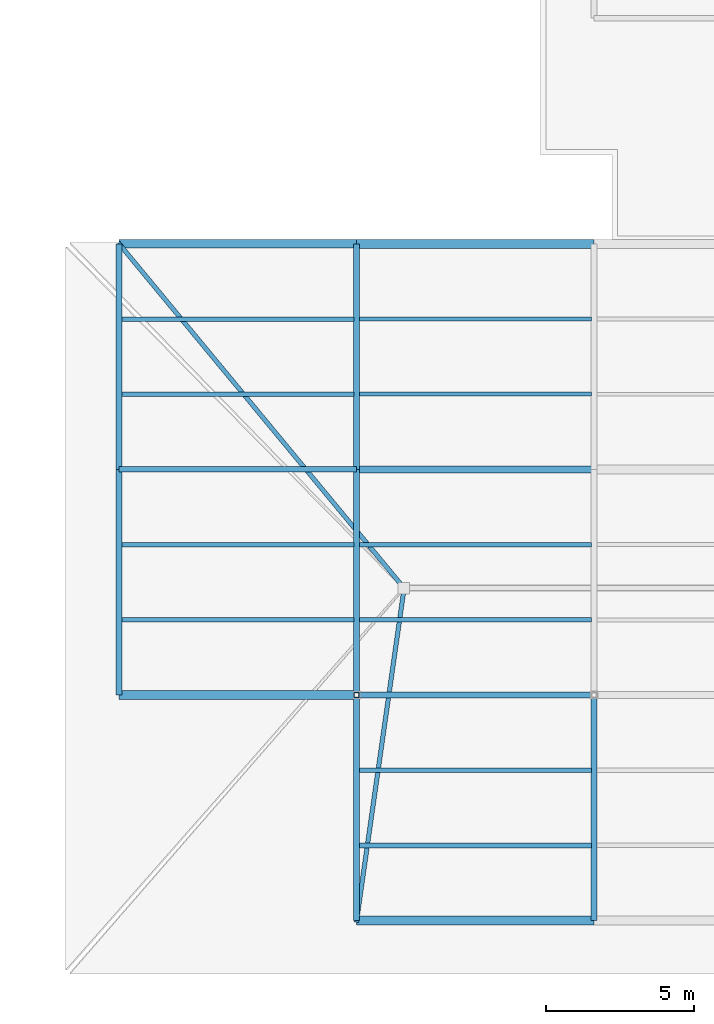
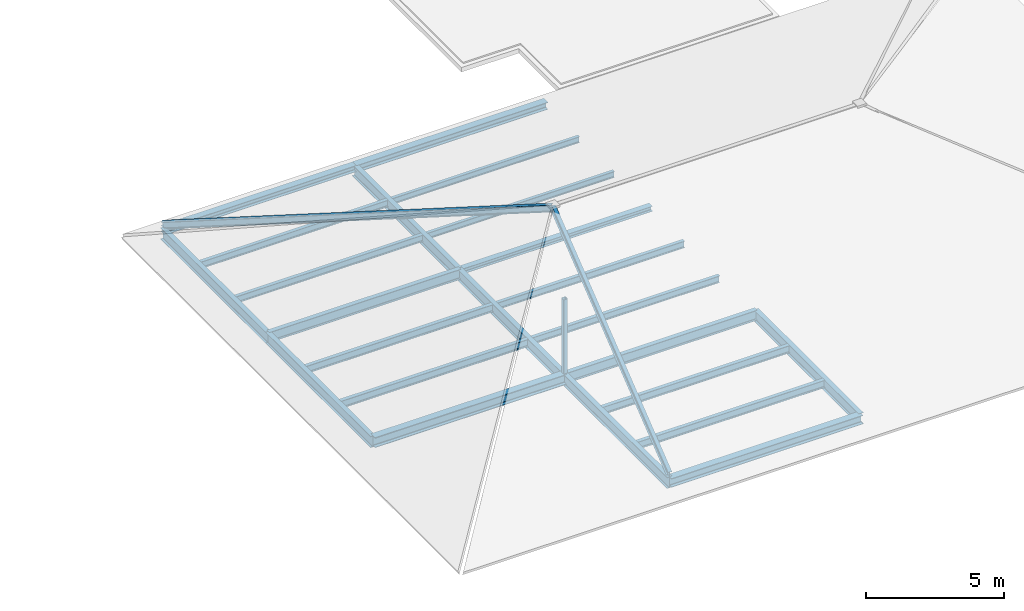
# One storey, part 18 of 120: 23 beams, 3 members.
"""IFC4 building model written with IfcOpenShell, lengths in metres."""

from ifc_helpers import new_model, si_unit, direction, frame, origin, origin_2d, place, context, subcontext, project, spatial, hollow_rectangle, i_section, extrude, material, material_profile, profile_set, type_object, element, save


model = new_model("IFC4")

# Units and contexts
model_context = context("Model", 3, precision=1e-05, world=origin(), true_north=direction((0.0, 1.0)))
body_context = subcontext(model_context, "Body", "Model", "MODEL_VIEW")
ifc_project = project(units=[si_unit("LENGTHUNIT", "METRE"), si_unit("AREAUNIT", "SQUARE_METRE"), si_unit("VOLUMEUNIT", "CUBIC_METRE"), si_unit("PLANEANGLEUNIT", "RADIAN"), si_unit("MASSUNIT", "GRAM", prefix="KILO")], contexts=[model_context])

# Site, building, storey
site_placement = place(None, origin())
site = spatial("IfcSite", under=ifc_project, at=site_placement, CompositionType="ELEMENT")
building_placement = place(site_placement, origin())
building = spatial("IfcBuilding", under=site, at=building_placement, Name="Vekula Escarpment Museum", CompositionType="ELEMENT")
storey_placement = place(building_placement, frame((0.0, 0.0, 13.199951171875)))
storey = spatial("IfcBuildingStorey", under=building, at=storey_placement, Name="L03", CompositionType="ELEMENT", Elevation=13.199951171875)

# Beams
ifc_material_1 = material(Name="Steel S355", Category="steel")
ifc_material_profile_1 = material_profile(ifc_material_1, i_section(OverallWidth=0.280029296875, OverallDepth=0.280029296875, WebThickness=0.010498046875, FlangeThickness=0.01806640625, FilletRadius=0.02392578125, at=origin_2d()), Name="HEB 280")
ifc_profile_set_1 = profile_set([ifc_material_profile_1], Name="Steel S355")
beam_type_1 = type_object("IfcBeamType", Name="BM-GIRD-HEB280", PredefinedType="BEAM", material=ifc_profile_set_1)
beam_1_placement = place(storey_placement, frame((24.0, 22.800048828125, -0.389892578125), z_axis=(1.0, 0.0, 0.0), x_axis=(0.0, 1.0, 0.0)))
element("IfcBeam", 1, at=beam_1_placement, inside=storey, type_object=beam_type_1, Name="Beam X L03 1305", PredefinedType="BEAM", context=body_context, shape_type="SweptSolid", body=[
    extrude(i_section(OverallWidth=0.280029296875, OverallDepth=0.280029296875, WebThickness=0.010498046875, FlangeThickness=0.01806640625, FilletRadius=0.02392578125, at=origin_2d()), origin(), (0.0, 0.0, 1.0), 8.0),
])
ifc_material_2 = material(Name="Steel S355", Category="steel")
ifc_material_profile_2 = material_profile(ifc_material_2, i_section(OverallWidth=0.300048828125, OverallDepth=0.320068359375, WebThickness=0.011474609375, FlangeThickness=0.0205078125, FilletRadius=0.027099609375, at=origin_2d()), Name="HEB 320")
ifc_profile_set_2 = profile_set([ifc_material_profile_2], Name="Steel S355")
beam_type_2 = type_object("IfcBeamType", Name="BM-GIRD-HEB320", PredefinedType="BEAM", material=ifc_profile_set_2)
beam_2_placement = place(storey_placement, frame((32.0, 22.800048828125, -0.409912109375), z_axis=(1.0, 0.0, 0.0), x_axis=(0.0, 1.0, 0.0)))
element("IfcBeam", 2, at=beam_2_placement, inside=storey, type_object=beam_type_2, Name="Beam X L03 1306", PredefinedType="BEAM", context=body_context, shape_type="SweptSolid", body=[
    extrude(i_section(OverallWidth=0.300048828125, OverallDepth=0.320068359375, WebThickness=0.011474609375, FlangeThickness=0.0205078125, FilletRadius=0.027099609375, at=origin_2d()), origin(), (0.0, 0.0, 1.0), 8.0),
])
ifc_material_3 = material(Name="Steel S355", Category="steel")
ifc_material_profile_3 = material_profile(ifc_material_3, i_section(OverallWidth=0.300048828125, OverallDepth=0.449951171875, WebThickness=0.013916015625, FlangeThickness=0.02587890625, FilletRadius=0.027099609375, at=origin_2d()), Name="HEB 450")
ifc_profile_set_3 = profile_set([ifc_material_profile_3], Name="Steel S355")
beam_type_3 = type_object("IfcBeamType", Name="BM-GIRD-HEB450", PredefinedType="BEAM", material=ifc_profile_set_3)
beam_3_placement = place(storey_placement, frame((24.0, 7.60009765625, -0.474853515625), z_axis=(1.0, 0.0, 0.0), x_axis=(0.0, 1.0, 0.0)))
element("IfcBeam", 3, at=beam_3_placement, inside=storey, type_object=beam_type_3, Name="Beam X L03 1279", PredefinedType="BEAM", context=body_context, shape_type="SweptSolid", body=[
    extrude(i_section(OverallWidth=0.300048828125, OverallDepth=0.449951171875, WebThickness=0.013916015625, FlangeThickness=0.02587890625, FilletRadius=0.027099609375, at=origin_2d()), origin(), (0.0, 0.0, 1.0), 8.0),
])
ifc_material_4 = material(Name="Steel S355", Category="steel")
ifc_material_profile_4 = material_profile(ifc_material_4, i_section(OverallWidth=0.18994140625, OverallDepth=0.449951171875, WebThickness=0.009521484375, FlangeThickness=0.0146484375, FilletRadius=0.02099609375, at=origin_2d()), Name="IPE 450")
ifc_profile_set_4 = profile_set([ifc_material_profile_4], Name="Steel S355")
beam_type_4 = type_object("IfcBeamType", Name="BM-GIRD-IPE450", PredefinedType="BEAM", material=ifc_profile_set_4)
for number, where, z_axis, x_axis, name in (
    (4, (32.0, 7.60009765625, -0.474853515625), (1.0, 0.0, 0.0), (0.0, 1.0, 0.0), "Beam X L03 1280"),
    (5, (24.0, 15.199951171875, -0.474853515625), (1.0, 0.0, 0.0), (0.0, 1.0, 0.0), "Beam X L03 1292"),
):
    element("IfcBeam", number, at=place(storey_placement, frame(where, z_axis=z_axis, x_axis=x_axis)), inside=storey, type_object=beam_type_4, Name=name, PredefinedType="BEAM", context=body_context, shape_type="SweptSolid", body=[
        extrude(i_section(OverallWidth=0.18994140625, OverallDepth=0.449951171875, WebThickness=0.009521484375, FlangeThickness=0.0146484375, FilletRadius=0.02099609375, at=origin_2d()), origin(), (0.0, 0.0, 1.0), 8.0),
    ])
ifc_material_5 = material(Name="Steel S355", Category="steel")
ifc_material_profile_5 = material_profile(ifc_material_5, i_section(OverallWidth=0.199951171875, OverallDepth=0.5, WebThickness=0.01025390625, FlangeThickness=0.01611328125, FilletRadius=0.02099609375, at=origin_2d()), Name="IPE 500")
ifc_profile_set_5 = profile_set([ifc_material_profile_5], Name="Steel S355")
beam_type_5 = type_object("IfcBeamType", Name="BM-GIRD-IPE500", PredefinedType="BEAM", material=ifc_profile_set_5)
beam_4_placement = place(storey_placement, frame((24.0, 7.60009765625, -0.5), z_axis=(0.0, 1.0, 0.0), x_axis=(-1.0, 0.0, 0.0)))
element("IfcBeam", 6, at=beam_4_placement, inside=storey, type_object=beam_type_5, Name="Beam Y L03 1493", PredefinedType="BEAM", context=body_context, shape_type="SweptSolid", body=[
    extrude(i_section(OverallWidth=0.199951171875, OverallDepth=0.5, WebThickness=0.01025390625, FlangeThickness=0.01611328125, FilletRadius=0.02099609375, at=origin_2d()), origin(), (0.0, 0.0, 1.0), 7.599853515625),
])
for number, where, z_axis, x_axis, name in (
    (7, (24.0, 15.199951171875, -0.5), (0.0, 1.0, 0.0), (-1.0, 0.0, 0.0), "Beam Y L03 1494"),
    (8, (32.0, 0.0, -0.5), (0.0, 1.0, 0.0), (-1.0, 0.0, 0.0), "Beam Y L03 1502"),
):
    element("IfcBeam", number, at=place(storey_placement, frame(where, z_axis=z_axis, x_axis=x_axis)), inside=storey, type_object=beam_type_5, Name=name, PredefinedType="BEAM", context=body_context, shape_type="SweptSolid", body=[
        extrude(i_section(OverallWidth=0.199951171875, OverallDepth=0.5, WebThickness=0.01025390625, FlangeThickness=0.01611328125, FilletRadius=0.02099609375, at=origin_2d()), origin(), (0.0, 0.0, 1.0), 7.60009765625),
    ])
beam_5_placement = place(storey_placement, frame((32.0, 7.60009765625, -0.5), z_axis=(0.0, 1.0, 0.0), x_axis=(-1.0, 0.0, 0.0)))
element("IfcBeam", 9, at=beam_5_placement, inside=storey, type_object=beam_type_5, Name="Beam Y L03 1503", PredefinedType="BEAM", context=body_context, shape_type="SweptSolid", body=[
    extrude(i_section(OverallWidth=0.199951171875, OverallDepth=0.5, WebThickness=0.01025390625, FlangeThickness=0.01611328125, FilletRadius=0.02099609375, at=origin_2d()), origin(), (0.0, 0.0, 1.0), 7.599853515625),
])
for number, where, z_axis, x_axis, name in (
    (10, (32.0, 15.199951171875, -0.5), (0.0, 1.0, 0.0), (-1.0, 0.0, 0.0), "Beam Y L03 1504"),
    (11, (40.0, 0.0, -0.5), (0.0, 1.0, 0.0), (-1.0, 0.0, 0.0), "Beam Y L03 1512"),
):
    element("IfcBeam", number, at=place(storey_placement, frame(where, z_axis=z_axis, x_axis=x_axis)), inside=storey, type_object=beam_type_5, Name=name, PredefinedType="BEAM", context=body_context, shape_type="SweptSolid", body=[
        extrude(i_section(OverallWidth=0.199951171875, OverallDepth=0.5, WebThickness=0.01025390625, FlangeThickness=0.01611328125, FilletRadius=0.02099609375, at=origin_2d()), origin(), (0.0, 0.0, 1.0), 7.60009765625),
    ])
ifc_material_6 = material(Name="Steel S355", Category="steel")
ifc_material_profile_6 = material_profile(ifc_material_6, i_section(OverallWidth=0.135009765625, OverallDepth=0.27001953125, WebThickness=0.006591796875, FlangeThickness=0.01025390625, FilletRadius=0.014892578125, at=origin_2d()), Name="IPE 270")
ifc_profile_set_6 = profile_set([ifc_material_profile_6], Name="Steel S355")
beam_type_6 = type_object("IfcBeamType", Name="BM-JST-IPE270", PredefinedType="JOIST", material=ifc_profile_set_6)
for number, where, z_axis, x_axis, name in (
    (12, (32.090087890625, 17.7333984375, -0.385009765625), (1.0, 0.0, 0.0), (0.0, 1.0, 0.0), "Secondary Joist L03 0933"),
    (13, (32.090087890625, 20.2666015625, -0.385009765625), (1.0, 0.0, 0.0), (0.0, 1.0, 0.0), "Secondary Joist L03 0934"),
):
    element("IfcBeam", number, at=place(storey_placement, frame(where, z_axis=z_axis, x_axis=x_axis)), inside=storey, type_object=beam_type_6, Name=name, PredefinedType="JOIST", context=body_context, shape_type="SweptSolid", body=[
        extrude(i_section(OverallWidth=0.135009765625, OverallDepth=0.27001953125, WebThickness=0.006591796875, FlangeThickness=0.01025390625, FilletRadius=0.014892578125, at=origin_2d()), origin(), (0.0, 0.0, 1.0), 7.81982421875),
    ])
ifc_material_7 = material(Name="Steel S355", Category="steel")
ifc_material_profile_7 = material_profile(ifc_material_7, i_section(OverallWidth=0.14990234375, OverallDepth=0.300048828125, WebThickness=0.007080078125, FlangeThickness=0.0107421875, FilletRadius=0.014892578125, at=origin_2d()), Name="IPE 300")
ifc_profile_set_7 = profile_set([ifc_material_profile_7], Name="Steel S355")
beam_type_7 = type_object("IfcBeamType", Name="BM-JST-IPE300", PredefinedType="JOIST", material=ifc_profile_set_7)
for number, where, z_axis, x_axis, name in (
    (14, (24.090087890625, 17.7333984375, -0.39990234375), (1.0, 0.0, 0.0), (0.0, 1.0, 0.0), "Secondary Joist L03 0917"),
    (15, (24.090087890625, 20.2666015625, -0.39990234375), (1.0, 0.0, 0.0), (0.0, 1.0, 0.0), "Secondary Joist L03 0918"),
    (16, (32.090087890625, 10.13330078125, -0.39990234375), (1.0, 0.0, 0.0), (0.0, 1.0, 0.0), "Secondary Joist L03 0931"),
    (17, (32.090087890625, 12.666748046875, -0.39990234375), (1.0, 0.0, 0.0), (0.0, 1.0, 0.0), "Secondary Joist L03 0932"),
):
    element("IfcBeam", number, at=place(storey_placement, frame(where, z_axis=z_axis, x_axis=x_axis)), inside=storey, type_object=beam_type_7, Name=name, PredefinedType="JOIST", context=body_context, shape_type="SweptSolid", body=[
        extrude(i_section(OverallWidth=0.14990234375, OverallDepth=0.300048828125, WebThickness=0.007080078125, FlangeThickness=0.0107421875, FilletRadius=0.014892578125, at=origin_2d()), origin(), (0.0, 0.0, 1.0), 7.81982421875),
    ])
ifc_material_8 = material(Name="Steel S355", Category="steel")
ifc_material_profile_8 = material_profile(ifc_material_8, i_section(OverallWidth=0.159912109375, OverallDepth=0.330078125, WebThickness=0.007568359375, FlangeThickness=0.011474609375, FilletRadius=0.01806640625, at=origin_2d()), Name="IPE 330")
ifc_profile_set_8 = profile_set([ifc_material_profile_8], Name="Steel S355")
beam_type_8 = type_object("IfcBeamType", Name="BM-JST-IPE330", PredefinedType="JOIST", material=ifc_profile_set_8)
for number, where, z_axis, x_axis, name in (
    (18, (24.090087890625, 10.13330078125, -0.4150390625), (1.0, 0.0, 0.0), (0.0, 1.0, 0.0), "Secondary Joist L03 0915"),
    (19, (24.090087890625, 12.666748046875, -0.4150390625), (1.0, 0.0, 0.0), (0.0, 1.0, 0.0), "Secondary Joist L03 0916"),
    (20, (32.090087890625, 2.533203125, -0.4150390625), (1.0, 0.0, 0.0), (0.0, 1.0, 0.0), "Secondary Joist L03 0929"),
    (21, (32.090087890625, 5.066650390625, -0.4150390625), (1.0, 0.0, 0.0), (0.0, 1.0, 0.0), "Secondary Joist L03 0930"),
):
    element("IfcBeam", number, at=place(storey_placement, frame(where, z_axis=z_axis, x_axis=x_axis)), inside=storey, type_object=beam_type_8, Name=name, PredefinedType="JOIST", context=body_context, shape_type="SweptSolid", body=[
        extrude(i_section(OverallWidth=0.159912109375, OverallDepth=0.330078125, WebThickness=0.007568359375, FlangeThickness=0.011474609375, FilletRadius=0.01806640625, at=origin_2d()), origin(), (0.0, 0.0, 1.0), 7.81982421875),
    ])
ifc_material_9 = material(Name="Steel S355", Category="steel")
ifc_material_profile_9 = material_profile(ifc_material_9, i_section(OverallWidth=0.239990234375, OverallDepth=0.22998046875, WebThickness=0.007568359375, FlangeThickness=0.011962890625, FilletRadius=0.02099609375, at=origin_2d()), Name="HEA 240")
ifc_profile_set_9 = profile_set([ifc_material_profile_9], Name="Steel S355")
beam_type_9 = type_object("IfcBeamType", Name="BM-SPAN-HEA240", PredefinedType="SPANDREL", material=ifc_profile_set_9)
beam_6_placement = place(storey_placement, frame((32.0, 15.199951171875, -0.364990234375), z_axis=(1.0, 0.0, 0.0), x_axis=(0.0, 1.0, 0.0)))
element("IfcBeam", 22, at=beam_6_placement, inside=storey, type_object=beam_type_9, Name="Beam X L03 1293", PredefinedType="SPANDREL", context=body_context, shape_type="SweptSolid", body=[
    extrude(i_section(OverallWidth=0.239990234375, OverallDepth=0.22998046875, WebThickness=0.007568359375, FlangeThickness=0.011962890625, FilletRadius=0.02099609375, at=origin_2d()), origin(), (0.0, 0.0, 1.0), 8.0),
])
ifc_material_10 = material(Name="Steel S355", Category="steel")
ifc_material_profile_10 = material_profile(ifc_material_10, i_section(OverallWidth=0.300048828125, OverallDepth=0.389892578125, WebThickness=0.010986328125, FlangeThickness=0.01904296875, FilletRadius=0.027099609375, at=origin_2d()), Name="HEA 400")
ifc_profile_set_10 = profile_set([ifc_material_profile_10], Name="Steel S355")
beam_type_10 = type_object("IfcBeamType", Name="BM-SPAN-HEA400", PredefinedType="SPANDREL", material=ifc_profile_set_10)
beam_7_placement = place(storey_placement, frame((32.0, 0.0, -0.445068359375), z_axis=(1.0, 0.0, 0.0), x_axis=(0.0, 1.0, 0.0)))
element("IfcBeam", 23, at=beam_7_placement, inside=storey, type_object=beam_type_10, Name="Beam X L03 1269", PredefinedType="SPANDREL", context=body_context, shape_type="SweptSolid", body=[
    extrude(i_section(OverallWidth=0.300048828125, OverallDepth=0.389892578125, WebThickness=0.010986328125, FlangeThickness=0.01904296875, FilletRadius=0.027099609375, at=origin_2d()), origin(), (0.0, 0.0, 1.0), 8.0),
])

# Members
ifc_material_11 = material(Name="Steel S355", Category="steel")
ifc_material_profile_11 = material_profile(ifc_material_11, i_section(OverallWidth=0.14990234375, OverallDepth=0.300048828125, WebThickness=0.007080078125, FlangeThickness=0.0107421875, FilletRadius=0.014892578125, at=origin_2d()), Name="IPE 300")
ifc_profile_set_11 = profile_set([ifc_material_profile_11], Name="Steel S355")
member_type_1 = type_object("IfcMemberType", Name="MB-HIP-RAFTER", PredefinedType="CHORD", material=ifc_profile_set_11)
member_1_placement = place(storey_placement, frame((32.0, 0.0, -0.14990234375), z_axis=(0.131694828453, 0.921803517745, 0.36460217612), x_axis=(-0.989948198865, 0.141430419517, 0.0)))
element("IfcMember", 24, at=member_1_placement, inside=storey, type_object=member_type_1, Name="Auditorium Hip Rafter 1", PredefinedType="CHORD", context=body_context, shape_type="SweptSolid", body=[
    extrude(i_section(OverallWidth=0.14990234375, OverallDepth=0.300048828125, WebThickness=0.007080078125, FlangeThickness=0.0107421875, FilletRadius=0.014892578125, at=origin_2d()), origin(), (0.0, 0.0, 1.0), 12.150146484375),
])
member_2_placement = place(storey_placement, frame((24.0, 22.800048828125, -0.14990234375), z_axis=(0.611646855123, -0.739071987038, 0.282242311841), x_axis=(0.770393771884, 0.6375683777, 0.0)))
element("IfcMember", 25, at=member_2_placement, inside=storey, type_object=member_type_1, Name="Auditorium Hip Rafter 3", PredefinedType="CHORD", context=body_context, shape_type="SweptSolid", body=[
    extrude(i_section(OverallWidth=0.14990234375, OverallDepth=0.300048828125, WebThickness=0.007080078125, FlangeThickness=0.0107421875, FilletRadius=0.014892578125, at=origin_2d()), origin(), (0.0, 0.0, 1.0), 15.695556640625),
])
ifc_material_12 = material(Name="Steel S355", Category="steel")
ifc_material_profile_12 = material_profile(ifc_material_12, hollow_rectangle(XDim=0.179931640625, YDim=0.179931640625, WallThickness=0.010009765625, InnerFilletRadius=0.010009765625, OuterFilletRadius=0.02001953125, at=origin_2d()), Name="SHS 180x180x10")
ifc_profile_set_12 = profile_set([ifc_material_profile_12], Name="Steel S355")
member_type_2 = type_object("IfcMemberType", Name="MB-POST-SHS180", PredefinedType="STRUT", material=ifc_profile_set_12)
member_3_placement = place(storey_placement, frame((32.0, 7.60009765625, -0.300048828125), z_axis=(0.0, 0.0, 1.0), x_axis=(1.0, 0.0, 0.0)))
element("IfcMember", 26, at=member_3_placement, inside=storey, type_object=member_type_2, Name="Auditorium Roof Truss King Post 32", PredefinedType="STRUT", context=body_context, shape_type="SweptSolid", body=[
    extrude(hollow_rectangle(XDim=0.179931640625, YDim=0.179931640625, WallThickness=0.010009765625, InnerFilletRadius=0.010009765625, OuterFilletRadius=0.02001953125, at=origin_2d()), origin(), (0.0, 0.0, 1.0), 3.320068359375),
])

save(model, "model.ifc")
